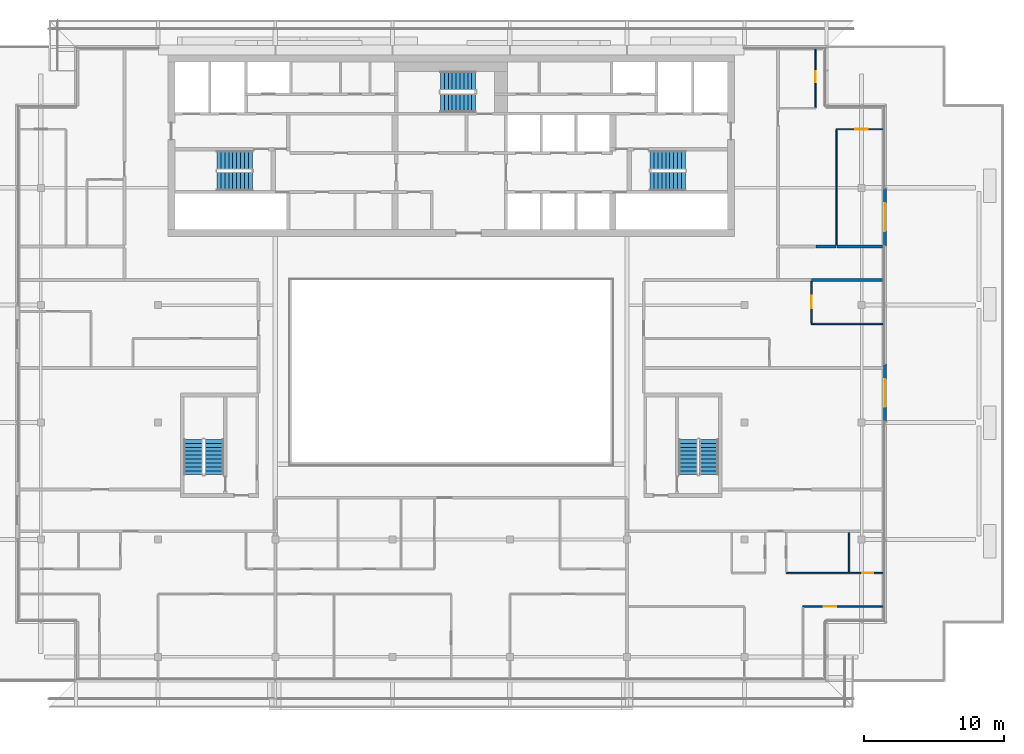
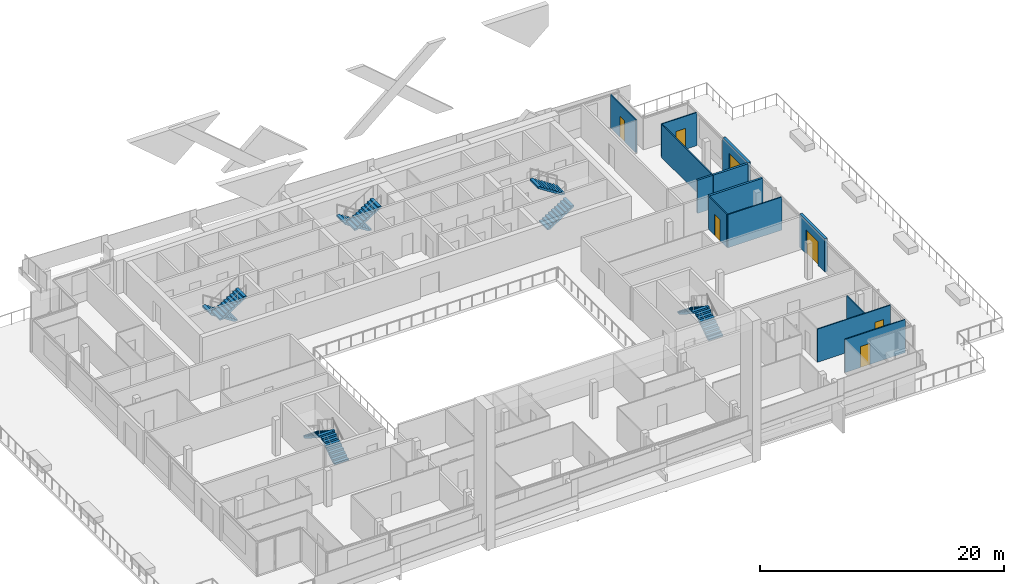
# One storey, part 22 of 29: 13 walls, 10 stair flights, 7 doors, 7 openings, 5 elements without a shape of their own.
"""IFC4 building model written with IfcOpenShell, lengths in metres."""

from ifc_helpers import new_model, si_unit, direction, frame, frame_2d, origin, place, context, subcontext, project, spatial, polyline, rectangle, outline, extrude, material, layer, layer_set, type_object, element, fill, aggregate, save


model = new_model("IFC4")

# Units and contexts
model_context = context("Model", 3, precision=1e-05, world=origin(), true_north=direction((0.0, 1.0)))
body_context = subcontext(model_context, "Body", "Model", "MODEL_VIEW")
ifc_project = project(units=[si_unit("LENGTHUNIT", "METRE"), si_unit("AREAUNIT", "SQUARE_METRE"), si_unit("VOLUMEUNIT", "CUBIC_METRE"), si_unit("PLANEANGLEUNIT", "RADIAN"), si_unit("MASSUNIT", "GRAM", prefix="KILO")], contexts=[model_context])

# Site, building, storey
site_placement = place(None, origin())
site = spatial("IfcSite", under=ifc_project, at=site_placement, CompositionType="ELEMENT")
building_placement = place(site_placement, origin())
building = spatial("IfcBuilding", under=site, at=building_placement, Name="Saffron Gate Tower", CompositionType="ELEMENT")
storey_placement = place(building_placement, frame((0.0, 0.0, 270.75)))
storey = spatial("IfcBuildingStorey", under=building, at=storey_placement, Name="L65", CompositionType="ELEMENT", Elevation=270.75)

# Wall, opening, door
ifc_material_1 = material(Name="Plasterboard on steel studs", Category="steel")
ifc_layer_1 = layer(ifc_material_1, 0.10009765625)
ifc_layer_set_1 = layer_set([ifc_layer_1], Name="PW1 Partition 100")
wall_type_1 = type_object("IfcWallType", Name="PW1 Partition 100", PredefinedType="PARTITIONING", material=ifc_layer_set_1)
wall_1_placement = place(storey_placement, frame((118.52001953125, 35.39990234375, 0.0), z_axis=(0.0, 0.0, 1.0), x_axis=(-1.0, 0.0, 0.0)))
wall_1 = element("IfcWall", 1, at=wall_1_placement, inside=storey, type_object=wall_type_1, Name="Partition E2-2", PredefinedType="PARTITIONING", context=body_context, shape_type="SweptSolid", body=[
    extrude(rectangle(XDim=5.719970703125, YDim=0.10009765625, at=frame_2d((2.85986328125, 0.0))), origin(), (0.0, 0.0, 1.0), 3.320068359375),
])
opening_1_placement = place(wall_1_placement, frame((3.345703125, 0.0, 0.0)))
opening_1 = element("IfcOpeningElement", 2, at=opening_1_placement, cuts=wall_1, Name="Opening E2-17", PredefinedType="OPENING", context=body_context, shape_type="SweptSolid", body=[
    extrude(rectangle(XDim=0.89990234375, YDim=2.10009765625, at=frame_2d((0.449951171875, 1.050048828125))), frame((0.0, 0.06005859375, 0.0), z_axis=(0.0, -1.0, 0.0), x_axis=(1.0, 0.0, 0.0)), (0.0, 0.0, 1.0), 0.1201171875),
])
ifc_material_2 = material(Name="Timber door set", Category="wood")
door_type_1 = type_object("IfcDoorType", Name="RD1 Room door 900x2100", OperationType="NOTDEFINED", PredefinedType="DOOR", material=ifc_material_2)
door_1_placement = place(opening_1_placement, origin())
door_1 = element("IfcDoor", 3, at=door_1_placement, inside=storey, type_object=door_type_1, Name="Door E2-17", OperationType="SINGLE_SWING_RIGHT", OverallHeight=2.10009765625, OverallWidth=0.89990234375, PredefinedType="DOOR", context=body_context, shape_type="SweptSolid", body=[
    extrude(rectangle(XDim=0.89990234375, YDim=2.10009765625, at=frame_2d((0.449951171875, 1.050048828125))), frame((0.0, 0.02490234375, 0.0), z_axis=(0.0, -1.0, 0.0), x_axis=(1.0, 0.0, 0.0)), (0.0, 0.0, 1.0), 0.050048828125),
])
fill(opening_1, door_1)

wall_2_placement = place(storey_placement, frame((111.60009765625, 37.800048828125, 0.0), z_axis=(0.0, 0.0, 1.0), x_axis=(1.0, 0.0, 0.0)))
wall_2 = element("IfcWall", 4, at=wall_2_placement, inside=storey, type_object=wall_type_1, Name="Partition E2-6", PredefinedType="PARTITIONING", context=body_context, shape_type="SweptSolid", body=[
    extrude(rectangle(XDim=6.919921875, YDim=0.10009765625, at=frame_2d((3.4599609375, 0.0))), origin(), (0.0, 0.0, 1.0), 3.320068359375),
])
opening_2_placement = place(wall_2_placement, frame((5.449951171875, 0.0, 0.0)))
opening_2 = element("IfcOpeningElement", 5, at=opening_2_placement, cuts=wall_2, Name="Opening E2-28", PredefinedType="OPENING", context=body_context, shape_type="SweptSolid", body=[
    extrude(rectangle(XDim=0.800048828125, YDim=2.10009765625, at=frame_2d((0.39990234375, 1.050048828125))), frame((0.0, 0.06005859375, 0.0), z_axis=(0.0, -1.0, 0.0), x_axis=(1.0, 0.0, 0.0)), (0.0, 0.0, 1.0), 0.1201171875),
])
door_type_2 = type_object("IfcDoorType", Name="RD2 Bathroom door 800x2100", OperationType="NOTDEFINED", PredefinedType="DOOR", material=ifc_material_2)
door_2_placement = place(opening_2_placement, origin())
door_2 = element("IfcDoor", 6, at=door_2_placement, inside=storey, type_object=door_type_2, Name="Door E2-28", OperationType="SINGLE_SWING_RIGHT", OverallHeight=2.10009765625, OverallWidth=0.800048828125, PredefinedType="DOOR", context=body_context, shape_type="SweptSolid", body=[
    extrude(rectangle(XDim=0.800048828125, YDim=2.10009765625, at=frame_2d((0.39990234375, 1.050048828125))), frame((0.0, 0.02490234375, 0.0), z_axis=(0.0, -1.0, 0.0), x_axis=(1.0, 0.0, 0.0)), (0.0, 0.0, 1.0), 0.050048828125),
])
fill(opening_2, door_2)

# Wall
wall_3_placement = place(storey_placement, frame((113.39990234375, 55.64990234375, 0.0), z_axis=(0.0, 0.0, 1.0), x_axis=(1.0, 0.0, 0.0)))
element("IfcWall", 7, at=wall_3_placement, inside=storey, type_object=wall_type_1, Name="Partition E2-18", PredefinedType="PARTITIONING", context=body_context, shape_type="SweptSolid", body=[
    extrude(rectangle(XDim=5.1201171875, YDim=0.10009765625, at=frame_2d((2.56005859375, 0.0))), origin(), (0.0, 0.0, 1.0), 3.320068359375),
])

# Wall, opening, door
wall_4_placement = place(storey_placement, frame((118.52001953125, 69.60009765625, 0.0), z_axis=(0.0, 0.0, 1.0), x_axis=(-1.0, 0.0, 0.0)))
wall_4 = element("IfcWall", 8, at=wall_4_placement, inside=storey, type_object=wall_type_1, Name="Partition E2-33", PredefinedType="PARTITIONING", context=body_context, shape_type="SweptSolid", body=[
    extrude(rectangle(XDim=3.320068359375, YDim=0.10009765625, at=frame_2d((1.66015625, 0.0))), origin(), (0.0, 0.0, 1.0), 3.320068359375),
])
opening_3_placement = place(wall_4_placement, frame((1.070068359375, 0.0, 0.0)))
opening_3 = element("IfcOpeningElement", 9, at=opening_3_placement, cuts=wall_4, Name="Opening E2-22", PredefinedType="OPENING", context=body_context, shape_type="SweptSolid", body=[
    extrude(rectangle(XDim=0.89990234375, YDim=2.10009765625, at=frame_2d((0.449951171875, 1.050048828125))), frame((0.0, 0.06005859375, 0.0), z_axis=(0.0, -1.0, 0.0), x_axis=(1.0, 0.0, 0.0)), (0.0, 0.0, 1.0), 0.1201171875),
])
door_3_placement = place(opening_3_placement, origin())
door_3 = element("IfcDoor", 10, at=door_3_placement, inside=storey, type_object=door_type_1, Name="Door E2-22", OperationType="SINGLE_SWING_LEFT", OverallHeight=2.10009765625, OverallWidth=0.89990234375, PredefinedType="DOOR", context=body_context, shape_type="SweptSolid", body=[
    extrude(rectangle(XDim=0.89990234375, YDim=2.10009765625, at=frame_2d((0.449951171875, 1.050048828125))), frame((0.0, 0.02490234375, 0.0), z_axis=(0.0, -1.0, 0.0), x_axis=(1.0, 0.0, 0.0)), (0.0, 0.0, 1.0), 0.050048828125),
])
fill(opening_3, door_3)

wall_5_placement = place(storey_placement, frame((113.39990234375, 58.699951171875, 0.0), z_axis=(0.0, 0.0, 1.0), x_axis=(0.0, -1.0, 0.0)))
wall_5 = element("IfcWall", 11, at=wall_5_placement, inside=storey, type_object=wall_type_1, Name="Partition E2-74", PredefinedType="PARTITIONING", context=body_context, shape_type="SweptSolid", body=[
    extrude(rectangle(XDim=3.0, YDim=0.10009765625, at=frame_2d((1.5, 0.0))), origin(), (0.0, 0.0, 1.0), 3.320068359375),
])
opening_4_placement = place(wall_5_placement, frame((1.02490234375, 0.0, 0.0)))
opening_4 = element("IfcOpeningElement", 12, at=opening_4_placement, cuts=wall_5, Name="Opening E2-21", PredefinedType="OPENING", context=body_context, shape_type="SweptSolid", body=[
    extrude(rectangle(XDim=0.89990234375, YDim=2.10009765625, at=frame_2d((0.449951171875, 1.050048828125))), frame((0.0, 0.06005859375, 0.0), z_axis=(0.0, -1.0, 0.0), x_axis=(1.0, 0.0, 0.0)), (0.0, 0.0, 1.0), 0.1201171875),
])
door_4_placement = place(opening_4_placement, origin())
door_4 = element("IfcDoor", 13, at=door_4_placement, inside=storey, type_object=door_type_1, Name="Door E2-21", OperationType="SINGLE_SWING_LEFT", OverallHeight=2.10009765625, OverallWidth=0.89990234375, PredefinedType="DOOR", context=body_context, shape_type="SweptSolid", body=[
    extrude(rectangle(XDim=0.89990234375, YDim=2.10009765625, at=frame_2d((0.449951171875, 1.050048828125))), frame((0.0, 0.02490234375, 0.0), z_axis=(0.0, -1.0, 0.0), x_axis=(1.0, 0.0, 0.0)), (0.0, 0.0, 1.0), 0.050048828125),
])
fill(opening_4, door_4)

wall_6_placement = place(storey_placement, frame((113.699951171875, 71.14990234375, 0.0), z_axis=(0.0, 0.0, 1.0), x_axis=(0.0, 1.0, 0.0)))
wall_6 = element("IfcWall", 14, at=wall_6_placement, inside=storey, type_object=wall_type_1, Name="Partition E2-75", PredefinedType="PARTITIONING", context=body_context, shape_type="SweptSolid", body=[
    extrude(rectangle(XDim=4.170166015625, YDim=0.10009765625, at=frame_2d((2.0849609375, 0.0))), origin(), (0.0, 0.0, 1.0), 3.320068359375),
])
opening_5_placement = place(wall_6_placement, frame((1.800048828125, 0.0, 0.0)))
opening_5 = element("IfcOpeningElement", 15, at=opening_5_placement, cuts=wall_6, Name="Opening E2-32", PredefinedType="OPENING", context=body_context, shape_type="SweptSolid", body=[
    extrude(rectangle(XDim=0.800048828125, YDim=2.10009765625, at=frame_2d((0.39990234375, 1.050048828125))), frame((0.0, 0.06005859375, 0.0), z_axis=(0.0, -1.0, 0.0), x_axis=(1.0, 0.0, 0.0)), (0.0, 0.0, 1.0), 0.1201171875),
])
door_5_placement = place(opening_5_placement, origin())
door_5 = element("IfcDoor", 16, at=door_5_placement, inside=storey, type_object=door_type_2, Name="Door E2-32", OperationType="SINGLE_SWING_RIGHT", OverallHeight=2.10009765625, OverallWidth=0.800048828125, PredefinedType="DOOR", context=body_context, shape_type="SweptSolid", body=[
    extrude(rectangle(XDim=0.800048828125, YDim=2.10009765625, at=frame_2d((0.39990234375, 1.050048828125))), frame((0.0, 0.02490234375, 0.0), z_axis=(0.0, -1.0, 0.0), x_axis=(1.0, 0.0, 0.0)), (0.0, 0.0, 1.0), 0.050048828125),
])
fill(opening_5, door_5)

# Walls
wall_7_placement = place(storey_placement, frame((115.199951171875, 69.550048828125, 0.0), z_axis=(0.0, 0.0, 1.0), x_axis=(0.0, -1.0, 0.0)))
element("IfcWall", 17, at=wall_7_placement, inside=storey, type_object=wall_type_1, Name="Partition E2-76", PredefinedType="PARTITIONING", context=body_context, shape_type="SweptSolid", body=[
    extrude(rectangle(XDim=8.25, YDim=0.10009765625, at=frame_2d((4.125, 0.0))), origin(), (0.0, 0.0, 1.0), 3.320068359375),
])
wall_8_placement = place(storey_placement, frame((116.10009765625, 40.699951171875, 0.0), z_axis=(0.0, 0.0, 1.0), x_axis=(0.0, -1.0, 0.0)))
element("IfcWall", 18, at=wall_8_placement, inside=storey, type_object=wall_type_1, Name="Partition E2-77", PredefinedType="PARTITIONING", context=body_context, shape_type="SweptSolid", body=[
    extrude(rectangle(XDim=2.849853515625, YDim=0.10009765625, at=frame_2d((1.4248046875, 0.0))), origin(), (0.0, 0.0, 1.0), 3.320068359375),
])
ifc_material_3 = material(Name="Clay brick masonry, rendered", Category="masonry")
ifc_layer_2 = layer(ifc_material_3, 0.199951171875)
ifc_layer_set_2 = layer_set([ifc_layer_2], Name="PW5 Room wall 200")
wall_type_2 = type_object("IfcWallType", Name="PW5 Room wall 200", PredefinedType="PARTITIONING", material=ifc_layer_set_2)
wall_9_placement = place(storey_placement, frame((113.419921875, 58.800048828125, 0.0), z_axis=(0.0, 0.0, 1.0), x_axis=(1.0, 0.0, 0.0)))
element("IfcWall", 19, at=wall_9_placement, inside=storey, type_object=wall_type_2, Name="Wall E2-24", PredefinedType="PARTITIONING", context=body_context, shape_type="SweptSolid", body=[
    extrude(rectangle(XDim=5.080078125, YDim=0.199951171875, at=frame_2d((2.5400390625, 0.0))), origin(), (0.0, 0.0, 1.0), 3.320068359375),
])
wall_10_placement = place(storey_placement, frame((113.719970703125, 61.199951171875, 0.0), z_axis=(0.0, 0.0, 1.0), x_axis=(1.0, 0.0, 0.0)))
element("IfcWall", 20, at=wall_10_placement, inside=storey, type_object=wall_type_2, Name="Wall E2-29", PredefinedType="PARTITIONING", context=body_context, shape_type="SweptSolid", body=[
    extrude(rectangle(XDim=1.4599609375, YDim=0.199951171875, at=frame_2d((0.72998046875, 0.0))), origin(), (0.0, 0.0, 1.0), 3.320068359375),
])
wall_11_placement = place(storey_placement, frame((115.219970703125, 61.199951171875, 0.0), z_axis=(0.0, 0.0, 1.0), x_axis=(1.0, 0.0, 0.0)))
element("IfcWall", 21, at=wall_11_placement, inside=storey, type_object=wall_type_2, Name="Wall E2-30", PredefinedType="PARTITIONING", context=body_context, shape_type="SweptSolid", body=[
    extrude(rectangle(XDim=3.280029296875, YDim=0.199951171875, at=frame_2d((1.64013671875, 0.0))), origin(), (0.0, 0.0, 1.0), 3.320068359375),
])

# Wall, opening, door
ifc_material_4 = material(Name="Reinforced concrete C40/50 clad in bronze panels", Category="concrete")
ifc_layer_3 = layer(ifc_material_4, 0.25)
ifc_layer_set_3 = layer_set([ifc_layer_3], Name="WBAY2 deck door bay wall")
wall_type_3 = type_object("IfcWallType", Name="WBAY2 deck door bay wall", PredefinedType="SOLIDWALL", material=ifc_layer_set_3)
wall_12_placement = place(storey_placement, frame((118.675048828125, 52.77001953125, 0.0), z_axis=(0.0, 0.0, 1.0), x_axis=(0.0, -1.0, 0.0)))
wall_12 = element("IfcWall", 22, at=wall_12_placement, inside=storey, type_object=wall_type_3, Name="ENTRANCE BAY wall", PredefinedType="SOLIDWALL", context=body_context, shape_type="SweptSolid", body=[
    extrude(rectangle(XDim=4.14013671875, YDim=0.25, at=frame_2d((2.070068359375, 0.0))), origin(), (0.0, 0.0, 1.0), 3.320068359375),
])
opening_6_placement = place(wall_12_placement, frame((1.070068359375, 0.0, 0.0)))
opening_6 = element("IfcOpeningElement", 23, at=opening_6_placement, cuts=wall_12, Name="Opening T65-01", PredefinedType="OPENING", context=body_context, shape_type="SweptSolid", body=[
    extrude(rectangle(XDim=2.0, YDim=2.39990234375, at=frame_2d((1.0, 1.199951171875))), frame((0.0, 0.135009765625, 0.0), z_axis=(0.0, -1.0, 0.0), x_axis=(1.0, 0.0, 0.0)), (0.0, 0.0, 1.0), 0.27001953125),
])
ifc_material_5 = material(Name="Bronze-framed toughened glass", Category="glass")
ifc_layer_4 = layer(ifc_material_5, 0.050048828125)
ifc_layer_set_4 = layer_set([ifc_layer_4], Name="D1 external double door 2000x2400")
door_type_3 = type_object("IfcDoorType", Name="D1 external double door 2000x2400", OperationType="DOUBLE_DOOR_SINGLE_SWING", PredefinedType="DOOR", material=ifc_layer_set_4)
door_6_placement = place(opening_6_placement, origin())
door_6 = element("IfcDoor", 24, at=door_6_placement, inside=storey, type_object=door_type_3, Name="DOOR T65-01", OperationType="DOUBLE_DOOR_SINGLE_SWING", OverallHeight=2.39990234375, OverallWidth=2.0, PredefinedType="DOOR", context=body_context, shape_type="SweptSolid", body=[
    extrude(rectangle(XDim=2.0, YDim=2.39990234375, at=frame_2d((1.0, 1.199951171875))), frame((0.0, 0.02490234375, 0.0), z_axis=(0.0, -1.0, 0.0), x_axis=(1.0, 0.0, 0.0)), (0.0, 0.0, 1.0), 0.050048828125),
])
fill(opening_6, door_6)

wall_13_placement = place(storey_placement, frame((118.675048828125, 65.3701171875, 0.0), z_axis=(0.0, 0.0, 1.0), x_axis=(0.0, -1.0, 0.0)))
wall_13 = element("IfcWall", 25, at=wall_13_placement, inside=storey, type_object=wall_type_3, Name="ENTRANCE BAY wall", PredefinedType="SOLIDWALL", context=body_context, shape_type="SweptSolid", body=[
    extrude(rectangle(XDim=4.14013671875, YDim=0.25, at=frame_2d((2.070068359375, 0.0))), origin(), (0.0, 0.0, 1.0), 3.320068359375),
])
opening_7_placement = place(wall_13_placement, frame((1.070068359375, 0.0, 0.0)))
opening_7 = element("IfcOpeningElement", 26, at=opening_7_placement, cuts=wall_13, Name="Opening T65-02", PredefinedType="OPENING", context=body_context, shape_type="SweptSolid", body=[
    extrude(rectangle(XDim=2.0, YDim=2.39990234375, at=frame_2d((1.0, 1.199951171875))), frame((0.0, 0.135009765625, 0.0), z_axis=(0.0, -1.0, 0.0), x_axis=(1.0, 0.0, 0.0)), (0.0, 0.0, 1.0), 0.27001953125),
])
door_7_placement = place(opening_7_placement, origin())
door_7 = element("IfcDoor", 27, at=door_7_placement, inside=storey, type_object=door_type_3, Name="DOOR T65-02", OperationType="DOUBLE_DOOR_SINGLE_SWING", OverallHeight=2.39990234375, OverallWidth=2.0, PredefinedType="DOOR", context=body_context, shape_type="SweptSolid", body=[
    extrude(rectangle(XDim=2.0, YDim=2.39990234375, at=frame_2d((1.0, 1.199951171875))), frame((0.0, 0.02490234375, 0.0), z_axis=(0.0, -1.0, 0.0), x_axis=(1.0, 0.0, 0.0)), (0.0, 0.0, 1.0), 0.050048828125),
])
fill(opening_7, door_7)

# Stair, stair flights
ifc_material_6 = material(Name="Concrete C40", Category="concrete")
stair_type = type_object("IfcStairType", Name="ST7 Stair 1350 wide, 20 risers of 180", PredefinedType="HALF_TURN_STAIR", material=ifc_material_6)
stair_1_placement = place(storey_placement, origin())
stair_1 = element("IfcStair", 28, at=stair_1_placement, inside=storey, type_object=stair_type, Name="L65 Exit stair A", PredefinedType="HALF_TURN_STAIR")
stair_flight_type = type_object("IfcStairFlightType", Name="SF3 Stair flight 1350 wide, riser 180 going 280", PredefinedType="STRAIGHT", material=ifc_material_6)
stair_flight_1_placement = place(storey_placement, frame((73.35009765625, 67.375, 0.0), z_axis=(0.0, 0.0, 1.0), x_axis=(-1.0, 0.0, 0.0)))
stair_flight_1 = element("IfcStairFlight", 29, at=stair_flight_1_placement, type_object=stair_flight_type, Name="ST-A flight 1", NumberOfRisers=10, NumberOfTreads=9, PredefinedType="STRAIGHT", RiserHeight=0.18, TreadLength=0.28, context=body_context, shape_type="SweptSolid", body=[
    extrude(outline(polyline([(0.0, 0.0), (0.0, 0.179931640625), (0.280029296875, 0.179931640625), (0.280029296875, 0.360107421875), (0.56005859375, 0.360107421875), (0.56005859375, 0.5400390625), (0.840087890625, 0.5400390625), (0.840087890625, 0.719970703125), (1.1201171875, 0.719970703125), (1.1201171875, 0.89990234375), (1.39990234375, 0.89990234375), (1.39990234375, 1.080078125), (1.679931640625, 1.080078125), (1.679931640625, 1.260009765625), (1.9599609375, 1.260009765625), (1.9599609375, 1.43994140625), (2.239990234375, 1.43994140625), (2.239990234375, 1.6201171875), (2.52001953125, 1.6201171875), (2.52001953125, 1.800048828125), (2.52001953125, 1.44189453125), (0.277099609375, 0.0), (0.0, 0.0)])), frame((0.0, 0.675048828125, 0.0), z_axis=(0.0, -1.0, 0.0), x_axis=(1.0, 0.0, 0.0)), (0.0, 0.0, 1.0), 1.35009765625),
])
stair_flight_2_placement = place(storey_placement, frame((70.830078125, 65.875, 1.800048828125), z_axis=(0.0, 0.0, 1.0), x_axis=(1.0, 0.0, 0.0)))
stair_flight_2 = element("IfcStairFlight", 30, at=stair_flight_2_placement, type_object=stair_flight_type, Name="ST-A flight 2", NumberOfRisers=10, NumberOfTreads=9, PredefinedType="STRAIGHT", RiserHeight=0.18, TreadLength=0.28, context=body_context, shape_type="SweptSolid", body=[
    extrude(outline(polyline([(0.0, 0.0), (0.0, 0.179931640625), (0.280029296875, 0.179931640625), (0.280029296875, 0.360107421875), (0.56005859375, 0.360107421875), (0.56005859375, 0.5400390625), (0.840087890625, 0.5400390625), (0.840087890625, 0.719970703125), (1.1201171875, 0.719970703125), (1.1201171875, 0.89990234375), (1.39990234375, 0.89990234375), (1.39990234375, 1.080078125), (1.679931640625, 1.080078125), (1.679931640625, 1.260009765625), (1.9599609375, 1.260009765625), (1.9599609375, 1.43994140625), (2.239990234375, 1.43994140625), (2.239990234375, 1.6201171875), (2.52001953125, 1.6201171875), (2.52001953125, 1.800048828125), (2.52001953125, 1.44189453125), (0.277099609375, 0.0), (0.0, 0.0)])), frame((0.0, 0.675048828125, 0.0), z_axis=(0.0, -1.0, 0.0), x_axis=(1.0, 0.0, 0.0)), (0.0, 0.0, 1.0), 1.35009765625),
])
aggregate(stair_1, [stair_flight_1, stair_flight_2])

stair_2_placement = place(storey_placement, origin())
stair_2 = element("IfcStair", 31, at=stair_2_placement, inside=storey, type_object=stair_type, Name="L65 Exit stair B", PredefinedType="HALF_TURN_STAIR")
stair_flight_3_placement = place(storey_placement, frame((101.85009765625, 65.875, 0.0), z_axis=(0.0, 0.0, 1.0), x_axis=(1.0, 0.0, 0.0)))
stair_flight_3 = element("IfcStairFlight", 32, at=stair_flight_3_placement, type_object=stair_flight_type, Name="ST-B flight 1", NumberOfRisers=10, NumberOfTreads=9, PredefinedType="STRAIGHT", RiserHeight=0.18, TreadLength=0.28, context=body_context, shape_type="SweptSolid", body=[
    extrude(outline(polyline([(0.0, 0.0), (0.0, 0.179931640625), (0.280029296875, 0.179931640625), (0.280029296875, 0.360107421875), (0.56005859375, 0.360107421875), (0.56005859375, 0.5400390625), (0.840087890625, 0.5400390625), (0.840087890625, 0.719970703125), (1.1201171875, 0.719970703125), (1.1201171875, 0.89990234375), (1.39990234375, 0.89990234375), (1.39990234375, 1.080078125), (1.679931640625, 1.080078125), (1.679931640625, 1.260009765625), (1.9599609375, 1.260009765625), (1.9599609375, 1.43994140625), (2.239990234375, 1.43994140625), (2.239990234375, 1.6201171875), (2.52001953125, 1.6201171875), (2.52001953125, 1.800048828125), (2.52001953125, 1.44189453125), (0.277099609375, 0.0), (0.0, 0.0)])), frame((0.0, 0.675048828125, 0.0), z_axis=(0.0, -1.0, 0.0), x_axis=(1.0, 0.0, 0.0)), (0.0, 0.0, 1.0), 1.35009765625),
])
stair_flight_4_placement = place(storey_placement, frame((104.3701171875, 67.375, 1.800048828125), z_axis=(0.0, 0.0, 1.0), x_axis=(-1.0, 0.0, 0.0)))
stair_flight_4 = element("IfcStairFlight", 33, at=stair_flight_4_placement, type_object=stair_flight_type, Name="ST-B flight 2", NumberOfRisers=10, NumberOfTreads=9, PredefinedType="STRAIGHT", RiserHeight=0.18, TreadLength=0.28, context=body_context, shape_type="SweptSolid", body=[
    extrude(outline(polyline([(0.0, 0.0), (0.0, 0.179931640625), (0.280029296875, 0.179931640625), (0.280029296875, 0.360107421875), (0.56005859375, 0.360107421875), (0.56005859375, 0.5400390625), (0.840087890625, 0.5400390625), (0.840087890625, 0.719970703125), (1.1201171875, 0.719970703125), (1.1201171875, 0.89990234375), (1.39990234375, 0.89990234375), (1.39990234375, 1.080078125), (1.679931640625, 1.080078125), (1.679931640625, 1.260009765625), (1.9599609375, 1.260009765625), (1.9599609375, 1.43994140625), (2.239990234375, 1.43994140625), (2.239990234375, 1.6201171875), (2.52001953125, 1.6201171875), (2.52001953125, 1.800048828125), (2.52001953125, 1.44189453125), (0.277099609375, 0.0), (0.0, 0.0)])), frame((0.0, 0.675048828125, 0.0), z_axis=(0.0, -1.0, 0.0), x_axis=(1.0, 0.0, 0.0)), (0.0, 0.0, 1.0), 1.35009765625),
])
aggregate(stair_2, [stair_flight_3, stair_flight_4])

stair_3_placement = place(storey_placement, origin())
stair_3 = element("IfcStair", 34, at=stair_3_placement, inside=storey, type_object=stair_type, Name="L65 Exit stair C", PredefinedType="HALF_TURN_STAIR")
stair_flight_5_placement = place(storey_placement, frame((89.35009765625, 73.074951171875, 0.0), z_axis=(0.0, 0.0, 1.0), x_axis=(-1.0, 0.0, 0.0)))
stair_flight_5 = element("IfcStairFlight", 35, at=stair_flight_5_placement, type_object=stair_flight_type, Name="ST-C flight 1", NumberOfRisers=10, NumberOfTreads=9, PredefinedType="STRAIGHT", RiserHeight=0.18, TreadLength=0.28, context=body_context, shape_type="SweptSolid", body=[
    extrude(outline(polyline([(0.0, 0.0), (0.0, 0.179931640625), (0.280029296875, 0.179931640625), (0.280029296875, 0.360107421875), (0.56005859375, 0.360107421875), (0.56005859375, 0.5400390625), (0.840087890625, 0.5400390625), (0.840087890625, 0.719970703125), (1.1201171875, 0.719970703125), (1.1201171875, 0.89990234375), (1.39990234375, 0.89990234375), (1.39990234375, 1.080078125), (1.679931640625, 1.080078125), (1.679931640625, 1.260009765625), (1.9599609375, 1.260009765625), (1.9599609375, 1.43994140625), (2.239990234375, 1.43994140625), (2.239990234375, 1.6201171875), (2.52001953125, 1.6201171875), (2.52001953125, 1.800048828125), (2.52001953125, 1.44189453125), (0.277099609375, 0.0), (0.0, 0.0)])), frame((0.0, 0.675048828125, 0.0), z_axis=(0.0, -1.0, 0.0), x_axis=(1.0, 0.0, 0.0)), (0.0, 0.0, 1.0), 1.35009765625),
])
stair_flight_6_placement = place(storey_placement, frame((86.830078125, 71.47509765625, 1.800048828125), z_axis=(0.0, 0.0, 1.0), x_axis=(1.0, 0.0, 0.0)))
stair_flight_6 = element("IfcStairFlight", 36, at=stair_flight_6_placement, type_object=stair_flight_type, Name="ST-C flight 2", NumberOfRisers=10, NumberOfTreads=9, PredefinedType="STRAIGHT", RiserHeight=0.18, TreadLength=0.28, context=body_context, shape_type="SweptSolid", body=[
    extrude(outline(polyline([(0.0, 0.0), (0.0, 0.179931640625), (0.280029296875, 0.179931640625), (0.280029296875, 0.360107421875), (0.56005859375, 0.360107421875), (0.56005859375, 0.5400390625), (0.840087890625, 0.5400390625), (0.840087890625, 0.719970703125), (1.1201171875, 0.719970703125), (1.1201171875, 0.89990234375), (1.39990234375, 0.89990234375), (1.39990234375, 1.080078125), (1.679931640625, 1.080078125), (1.679931640625, 1.260009765625), (1.9599609375, 1.260009765625), (1.9599609375, 1.43994140625), (2.239990234375, 1.43994140625), (2.239990234375, 1.6201171875), (2.52001953125, 1.6201171875), (2.52001953125, 1.800048828125), (2.52001953125, 1.44189453125), (0.277099609375, 0.0), (0.0, 0.0)])), frame((0.0, 0.675048828125, 0.0), z_axis=(0.0, -1.0, 0.0), x_axis=(1.0, 0.0, 0.0)), (0.0, 0.0, 1.0), 1.35009765625),
])
aggregate(stair_3, [stair_flight_5, stair_flight_6])

stair_4_placement = place(storey_placement, origin())
stair_4 = element("IfcStair", 37, at=stair_4_placement, inside=storey, type_object=stair_type, Name="L65 Exit stair D", PredefinedType="HALF_TURN_STAIR")
stair_flight_7_placement = place(storey_placement, frame((70.625, 44.85009765625, 0.0), z_axis=(0.0, 0.0, 1.0), x_axis=(0.0, 1.0, 0.0)))
stair_flight_7 = element("IfcStairFlight", 38, at=stair_flight_7_placement, type_object=stair_flight_type, Name="ST-D flight 1", NumberOfRisers=10, NumberOfTreads=9, PredefinedType="STRAIGHT", RiserHeight=0.18, TreadLength=0.28, context=body_context, shape_type="SweptSolid", body=[
    extrude(outline(polyline([(0.0, 0.0), (0.0, 0.179931640625), (0.280029296875, 0.179931640625), (0.280029296875, 0.360107421875), (0.56005859375, 0.360107421875), (0.56005859375, 0.5400390625), (0.840087890625, 0.5400390625), (0.840087890625, 0.719970703125), (1.1201171875, 0.719970703125), (1.1201171875, 0.89990234375), (1.39990234375, 0.89990234375), (1.39990234375, 1.080078125), (1.679931640625, 1.080078125), (1.679931640625, 1.260009765625), (1.9599609375, 1.260009765625), (1.9599609375, 1.43994140625), (2.239990234375, 1.43994140625), (2.239990234375, 1.6201171875), (2.52001953125, 1.6201171875), (2.52001953125, 1.800048828125), (2.52001953125, 1.44189453125), (0.277099609375, 0.0), (0.0, 0.0)])), frame((0.0, 0.675048828125, 0.0), z_axis=(0.0, -1.0, 0.0), x_axis=(1.0, 0.0, 0.0)), (0.0, 0.0, 1.0), 1.35009765625),
])
stair_flight_8_placement = place(storey_placement, frame((69.125, 47.3701171875, 1.800048828125), z_axis=(0.0, 0.0, 1.0), x_axis=(0.0, -1.0, 0.0)))
stair_flight_8 = element("IfcStairFlight", 39, at=stair_flight_8_placement, type_object=stair_flight_type, Name="ST-D flight 2", NumberOfRisers=10, NumberOfTreads=9, PredefinedType="STRAIGHT", RiserHeight=0.18, TreadLength=0.28, context=body_context, shape_type="SweptSolid", body=[
    extrude(outline(polyline([(0.0, 0.0), (0.0, 0.179931640625), (0.280029296875, 0.179931640625), (0.280029296875, 0.360107421875), (0.56005859375, 0.360107421875), (0.56005859375, 0.5400390625), (0.840087890625, 0.5400390625), (0.840087890625, 0.719970703125), (1.1201171875, 0.719970703125), (1.1201171875, 0.89990234375), (1.39990234375, 0.89990234375), (1.39990234375, 1.080078125), (1.679931640625, 1.080078125), (1.679931640625, 1.260009765625), (1.9599609375, 1.260009765625), (1.9599609375, 1.43994140625), (2.239990234375, 1.43994140625), (2.239990234375, 1.6201171875), (2.52001953125, 1.6201171875), (2.52001953125, 1.800048828125), (2.52001953125, 1.44189453125), (0.277099609375, 0.0), (0.0, 0.0)])), frame((0.0, 0.675048828125, 0.0), z_axis=(0.0, -1.0, 0.0), x_axis=(1.0, 0.0, 0.0)), (0.0, 0.0, 1.0), 1.35009765625),
])
aggregate(stair_4, [stair_flight_7, stair_flight_8])

stair_5_placement = place(storey_placement, origin())
stair_5 = element("IfcStair", 40, at=stair_5_placement, inside=storey, type_object=stair_type, Name="L65 Exit stair E", PredefinedType="HALF_TURN_STAIR")
stair_flight_9_placement = place(storey_placement, frame((106.074951171875, 44.85009765625, 0.0), z_axis=(0.0, 0.0, 1.0), x_axis=(0.0, 1.0, 0.0)))
stair_flight_9 = element("IfcStairFlight", 41, at=stair_flight_9_placement, type_object=stair_flight_type, Name="ST-E flight 1", NumberOfRisers=10, NumberOfTreads=9, PredefinedType="STRAIGHT", RiserHeight=0.18, TreadLength=0.28, context=body_context, shape_type="SweptSolid", body=[
    extrude(outline(polyline([(0.0, 0.0), (0.0, 0.179931640625), (0.280029296875, 0.179931640625), (0.280029296875, 0.360107421875), (0.56005859375, 0.360107421875), (0.56005859375, 0.5400390625), (0.840087890625, 0.5400390625), (0.840087890625, 0.719970703125), (1.1201171875, 0.719970703125), (1.1201171875, 0.89990234375), (1.39990234375, 0.89990234375), (1.39990234375, 1.080078125), (1.679931640625, 1.080078125), (1.679931640625, 1.260009765625), (1.9599609375, 1.260009765625), (1.9599609375, 1.43994140625), (2.239990234375, 1.43994140625), (2.239990234375, 1.6201171875), (2.52001953125, 1.6201171875), (2.52001953125, 1.800048828125), (2.52001953125, 1.44189453125), (0.277099609375, 0.0), (0.0, 0.0)])), frame((0.0, 0.675048828125, 0.0), z_axis=(0.0, -1.0, 0.0), x_axis=(1.0, 0.0, 0.0)), (0.0, 0.0, 1.0), 1.35009765625),
])
stair_flight_10_placement = place(storey_placement, frame((104.574951171875, 47.3701171875, 1.800048828125), z_axis=(0.0, 0.0, 1.0), x_axis=(0.0, -1.0, 0.0)))
stair_flight_10 = element("IfcStairFlight", 42, at=stair_flight_10_placement, type_object=stair_flight_type, Name="ST-E flight 2", NumberOfRisers=10, NumberOfTreads=9, PredefinedType="STRAIGHT", RiserHeight=0.18, TreadLength=0.28, context=body_context, shape_type="SweptSolid", body=[
    extrude(outline(polyline([(0.0, 0.0), (0.0, 0.179931640625), (0.280029296875, 0.179931640625), (0.280029296875, 0.360107421875), (0.56005859375, 0.360107421875), (0.56005859375, 0.5400390625), (0.840087890625, 0.5400390625), (0.840087890625, 0.719970703125), (1.1201171875, 0.719970703125), (1.1201171875, 0.89990234375), (1.39990234375, 0.89990234375), (1.39990234375, 1.080078125), (1.679931640625, 1.080078125), (1.679931640625, 1.260009765625), (1.9599609375, 1.260009765625), (1.9599609375, 1.43994140625), (2.239990234375, 1.43994140625), (2.239990234375, 1.6201171875), (2.52001953125, 1.6201171875), (2.52001953125, 1.800048828125), (2.52001953125, 1.44189453125), (0.277099609375, 0.0), (0.0, 0.0)])), frame((0.0, 0.675048828125, 0.0), z_axis=(0.0, -1.0, 0.0), x_axis=(1.0, 0.0, 0.0)), (0.0, 0.0, 1.0), 1.35009765625),
])
aggregate(stair_5, [stair_flight_9, stair_flight_10])

save(model, "model.ifc")
